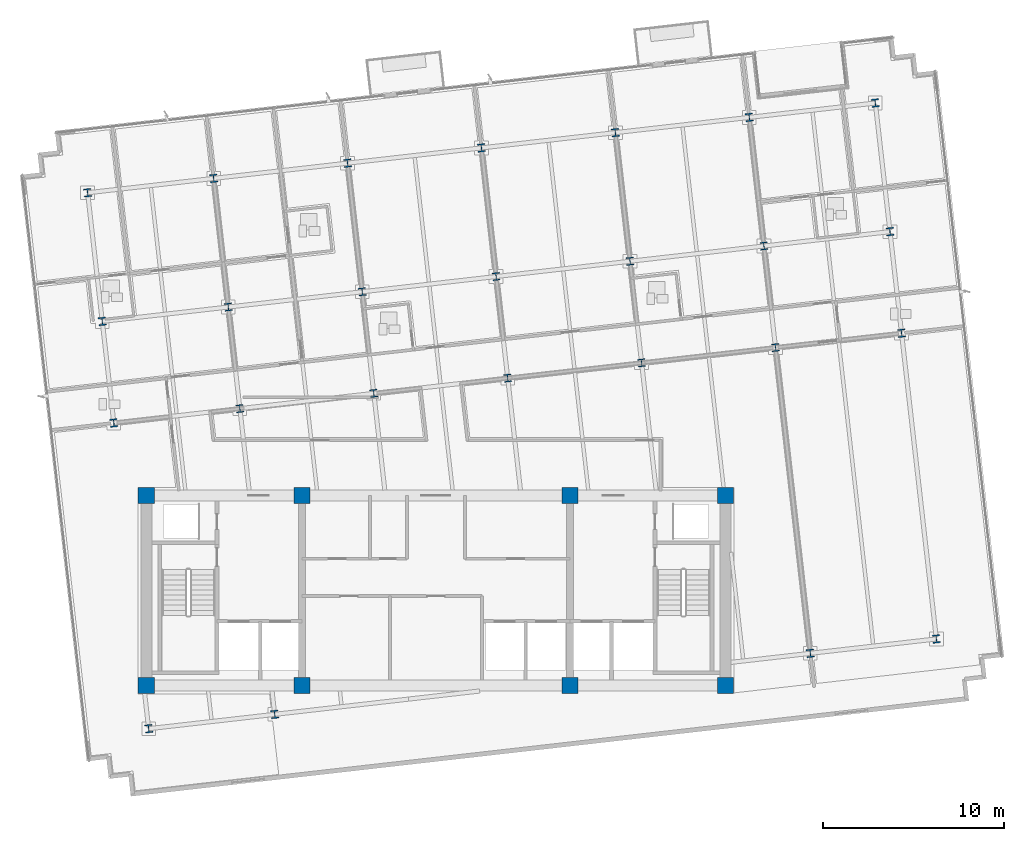
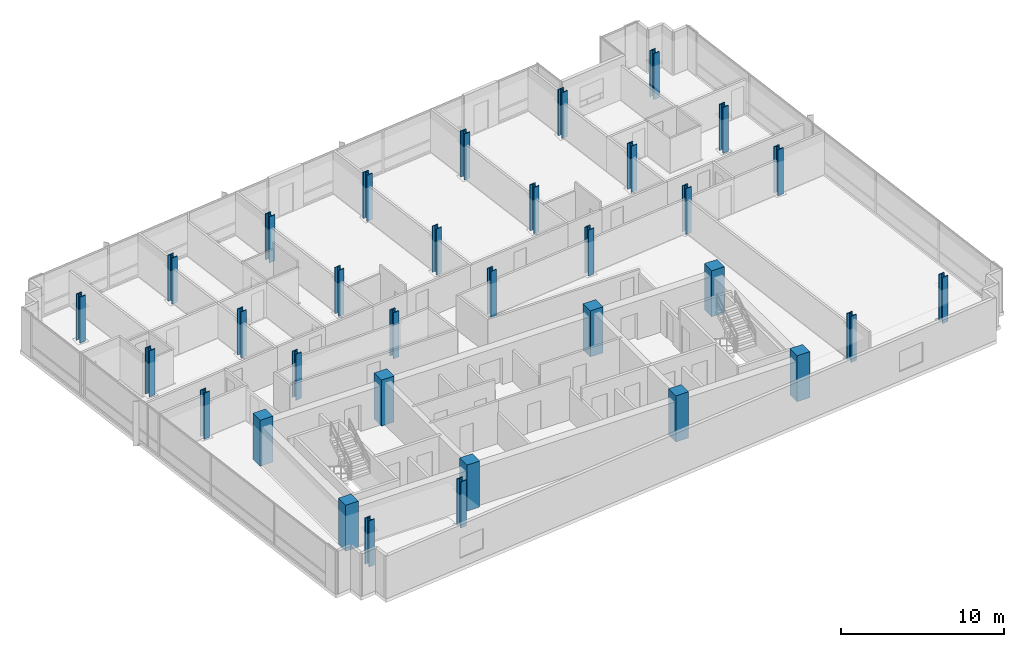
# One storey, part 1 of 16: 33 columns.
"""IFC4 building model written with IfcOpenShell, lengths in metres."""

from ifc_helpers import new_model, si_unit, direction, frame, origin, origin_2d, place, context, subcontext, project, spatial, rectangle, i_section, extrude, material, material_profile, profile_set, type_object, element, save


model = new_model("IFC4")

# Units and contexts
model_context = context("Model", 3, precision=1e-05, world=origin(), true_north=direction((0.0, 1.0)))
body_context = subcontext(model_context, "Body", "Model", "MODEL_VIEW")
ifc_project = project(units=[si_unit("LENGTHUNIT", "METRE"), si_unit("AREAUNIT", "SQUARE_METRE"), si_unit("VOLUMEUNIT", "CUBIC_METRE"), si_unit("PLANEANGLEUNIT", "RADIAN"), si_unit("MASSUNIT", "GRAM", prefix="KILO")], contexts=[model_context])

# Site, building, storey
site_placement = place(None, origin())
site = spatial("IfcSite", under=ifc_project, at=site_placement, CompositionType="ELEMENT")
building_placement = place(site_placement, origin())
building = spatial("IfcBuilding", under=site, at=building_placement, Name="Solmavex Isthmus Hotel", CompositionType="ELEMENT")
storey_placement = place(building_placement, frame((0.0, 0.0, 222.75)))
storey = spatial("IfcBuildingStorey", under=building, at=storey_placement, Name="L60", CompositionType="ELEMENT", Elevation=222.75)

# Columns
ifc_material_1 = material(Name="Concrete C50/60", Category="concrete")
ifc_material_profile_1 = material_profile(ifc_material_1, rectangle(XDim=0.89990234375, YDim=0.89990234375, at=origin_2d()), Name="RC900X900")
ifc_profile_set_1 = profile_set([ifc_material_profile_1], Name="Concrete C50/60")
column_type_1 = type_object("IfcColumnType", Name="COL-CC-900", PredefinedType="COLUMN", material=ifc_profile_set_1)
for number, where, z_axis, x_axis, name in (
    (1, (-16.0, -13.0, 0.0), (0.0, 0.0, 1.0), (1.0, 0.0, 0.0), "Core Pilaster CC-SW L60"),
    (2, (-7.39990234375, -13.0, 0.0), (0.0, 0.0, 1.0), (1.0, 0.0, 0.0), "Core Pilaster CC-S1 L60"),
    (3, (7.39990234375, -13.0, 0.0), (0.0, 0.0, 1.0), (1.0, 0.0, 0.0), "Core Pilaster CC-S2 L60"),
    (4, (16.0, -13.0, 0.0), (0.0, 0.0, 1.0), (1.0, 0.0, 0.0), "Core Pilaster CC-SE L60"),
    (5, (-16.0, -2.5, 0.0), (0.0, 0.0, 1.0), (1.0, 0.0, 0.0), "Core Pilaster CC-NW L60"),
    (6, (-7.39990234375, -2.5, 0.0), (0.0, 0.0, 1.0), (1.0, 0.0, 0.0), "Core Pilaster CC-N1 L60"),
    (7, (7.39990234375, -2.5, 0.0), (0.0, 0.0, 1.0), (1.0, 0.0, 0.0), "Core Pilaster CC-N2 L60"),
    (8, (16.0, -2.5, 0.0), (0.0, 0.0, 1.0), (1.0, 0.0, 0.0), "Core Pilaster CC-NE L60"),
):
    element("IfcColumn", number, at=place(storey_placement, frame(where, z_axis=z_axis, x_axis=x_axis)), inside=storey, type_object=column_type_1, Name=name, PredefinedType="COLUMN", context=body_context, shape_type="SweptSolid", body=[
        extrude(rectangle(XDim=0.89990234375, YDim=0.89990234375, at=origin_2d()), origin(), (0.0, 0.0, 1.0), 3.449951171875),
    ])
ifc_material_2 = material(Name="Steel ASTM A913 Grade 65", Category="steel")
ifc_material_profile_2 = material_profile(ifc_material_2, i_section(OverallWidth=0.412109375, OverallDepth=0.434814453125, WebThickness=0.035888671875, FlangeThickness=0.057373046875, FilletRadius=0.030517578125, at=origin_2d()), Name="W14X311")
ifc_profile_set_2 = profile_set([ifc_material_profile_2], Name="Steel ASTM A913 Grade 65")
column_type_2 = type_object("IfcColumnType", Name="COL-SC-W14X311", PredefinedType="COLUMN", material=ifc_profile_set_2)
for number, where, z_axis, x_axis, name in (
    (9, (-10.833984375, 2.30078125, 0.0), (0.0, 0.0, 1.0), (0.993571855677, 0.113203213768, 0.0), "Tower Column B4-U2V2 L60"),
    (10, (-11.473388671875, 7.912353515625, 0.0), (0.0, 0.0, 1.0), (0.993571855677, 0.113203213768, 0.0), "Tower Column B4-U2V3 L60"),
    (11, (-3.435791015625, 3.1435546875, 0.0), (0.0, 0.0, 1.0), (0.993571855677, 0.113203213768, 0.0), "Tower Column B4-U3V2 L60"),
    (12, (-4.0751953125, 8.75537109375, 0.0), (0.0, 0.0, 1.0), (0.993571855677, 0.113203213768, 0.0), "Tower Column B4-U3V3 L60"),
    (13, (3.962158203125, 3.986572265625, 0.0), (0.0, 0.0, 1.0), (0.993571855677, 0.113203213768, 0.0), "Tower Column B4-U4V2 L60"),
    (14, (3.322998046875, 9.59814453125, 0.0), (0.0, 0.0, 1.0), (0.993571855677, 0.113203213768, 0.0), "Tower Column B4-U4V3 L60"),
    (15, (11.3603515625, 4.829345703125, 0.0), (0.0, 0.0, 1.0), (0.993571855677, 0.113203213768, 0.0), "Tower Column B4-U5V2 L60"),
    (16, (10.720947265625, 10.441162109375, 0.0), (0.0, 0.0, 1.0), (0.993571855677, 0.113203213768, 0.0), "Tower Column B4-U5V3 L60"),
    (17, (18.758544921875, 5.67236328125, 0.0), (0.0, 0.0, 1.0), (0.993571855677, 0.113203213768, 0.0), "Tower Column B4-U6V2 L60"),
    (18, (18.119140625, 11.283935546875, 0.0), (0.0, 0.0, 1.0), (0.993571855677, 0.113203213768, 0.0), "Tower Column B4-U6V3 L60"),
):
    element("IfcColumn", number, at=place(storey_placement, frame(where, z_axis=z_axis, x_axis=x_axis)), inside=storey, type_object=column_type_2, Name=name, PredefinedType="COLUMN", context=body_context, shape_type="SweptSolid", body=[
        extrude(i_section(OverallWidth=0.412109375, OverallDepth=0.434814453125, WebThickness=0.035888671875, FlangeThickness=0.057373046875, FilletRadius=0.030517578125, at=origin_2d()), origin(), (0.0, 0.0, 1.0), 3.449951171875),
    ])
ifc_material_profile_3 = material_profile(ifc_material_2, i_section(OverallWidth=0.41845703125, OverallDepth=0.455078125, WebThickness=0.0419921875, FlangeThickness=0.067626953125, FilletRadius=0.030517578125, at=origin_2d()), Name="W14X370")
ifc_profile_set_3 = profile_set([ifc_material_profile_3], Name="Steel ASTM A913 Grade 65")
column_type_3 = type_object("IfcColumnType", Name="COL-SC-W14X370", PredefinedType="COLUMN", material=ifc_profile_set_3)
for number, where, z_axis, x_axis, name in (
    (19, (-15.87255859375, -15.38330078125, 0.0), (0.0, 0.0, 1.0), (0.993571855677, 0.113203213768, 0.0), "Tower Column B4-U1V1 L60"),
    (20, (-17.796875, 1.50732421875, 0.0), (0.0, 0.0, 1.0), (0.993571855677, 0.113203213768, 0.0), "Tower Column B4-U1V2 L60"),
    (21, (-18.436279296875, 7.119140625, 0.0), (0.0, 0.0, 1.0), (0.993571855677, 0.113203213768, 0.0), "Tower Column B4-U1V3 L60"),
    (22, (-19.245849609375, 14.22509765625, 0.0), (0.0, 0.0, 1.0), (0.993571855677, 0.113203213768, 0.0), "Tower Column B4-U1V4 L60"),
    (23, (-8.909423828125, -14.590087890625, 0.0), (0.0, 0.0, 1.0), (0.993571855677, 0.113203213768, 0.0), "Tower Column B4-U2V1 L60"),
    (24, (-12.282958984375, 15.018310546875, 0.0), (0.0, 0.0, 1.0), (0.993571855677, 0.113203213768, 0.0), "Tower Column B4-U2V4 L60"),
    (25, (-4.884765625, 15.861328125, 0.0), (0.0, 0.0, 1.0), (0.993571855677, 0.113203213768, 0.0), "Tower Column B4-U3V4 L60"),
    (26, (2.51318359375, 16.7041015625, 0.0), (0.0, 0.0, 1.0), (0.993571855677, 0.113203213768, 0.0), "Tower Column B4-U4V4 L60"),
    (27, (9.911376953125, 17.547119140625, 0.0), (0.0, 0.0, 1.0), (0.993571855677, 0.113203213768, 0.0), "Tower Column B4-U5V4 L60"),
    (28, (20.68310546875, -11.218505859375, 0.0), (0.0, 0.0, 1.0), (0.993571855677, 0.113203213768, 0.0), "Tower Column B4-U6V1 L60"),
    (29, (17.3095703125, 18.39013671875, 0.0), (0.0, 0.0, 1.0), (0.993571855677, 0.113203213768, 0.0), "Tower Column B4-U6V4 L60"),
    (30, (27.64599609375, -10.425048828125, 0.0), (0.0, 0.0, 1.0), (0.993571855677, 0.113203213768, 0.0), "Tower Column B4-U7V1 L60"),
    (31, (25.721435546875, 6.465576171875, 0.0), (0.0, 0.0, 1.0), (0.993571855677, 0.113203213768, 0.0), "Tower Column B4-U7V2 L60"),
    (32, (25.08203125, 12.077392578125, 0.0), (0.0, 0.0, 1.0), (0.993571855677, 0.113203213768, 0.0), "Tower Column B4-U7V3 L60"),
    (33, (24.2724609375, 19.183349609375, 0.0), (0.0, 0.0, 1.0), (0.993571855677, 0.113203213768, 0.0), "Tower Column B4-U7V4 L60"),
):
    element("IfcColumn", number, at=place(storey_placement, frame(where, z_axis=z_axis, x_axis=x_axis)), inside=storey, type_object=column_type_3, Name=name, PredefinedType="COLUMN", context=body_context, shape_type="SweptSolid", body=[
        extrude(i_section(OverallWidth=0.41845703125, OverallDepth=0.455078125, WebThickness=0.0419921875, FlangeThickness=0.067626953125, FilletRadius=0.030517578125, at=origin_2d()), origin(), (0.0, 0.0, 1.0), 3.449951171875),
    ])

save(model, "model.ifc")
